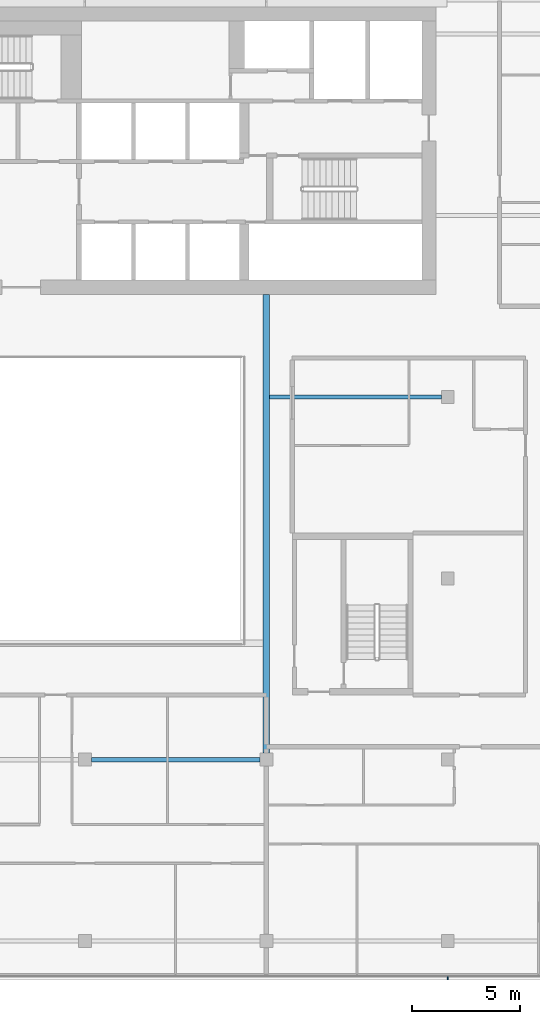
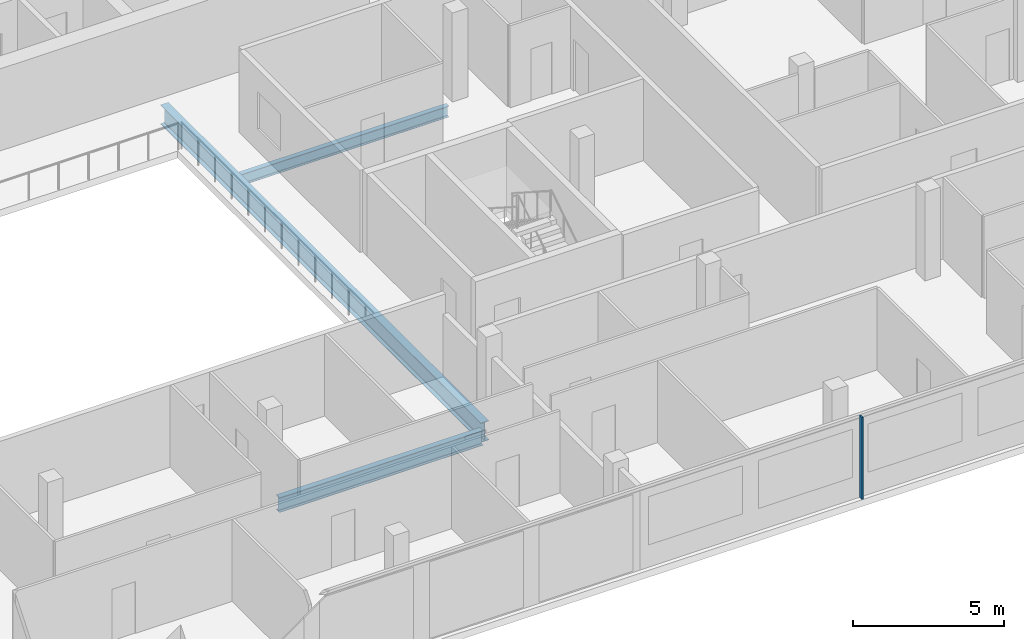
# One storey, part 6 of 30: 3 beams, 1 member, 1 element without a shape of its own.
"""IFC4 building model written with IfcOpenShell, lengths in metres."""

from ifc_helpers import new_model, si_unit, direction, frame, origin, origin_2d, place, context, subcontext, project, spatial, rectangle, i_section, extrude, material, material_profile, profile_set, type_object, element, aggregate, save


model = new_model("IFC4")

# Units and contexts
model_context = context("Model", 3, precision=1e-05, world=origin(), true_north=direction((0.0, 1.0)))
body_context = subcontext(model_context, "Body", "Model", "MODEL_VIEW")
ifc_project = project(units=[si_unit("LENGTHUNIT", "METRE"), si_unit("AREAUNIT", "SQUARE_METRE"), si_unit("VOLUMEUNIT", "CUBIC_METRE"), si_unit("PLANEANGLEUNIT", "RADIAN"), si_unit("MASSUNIT", "GRAM", prefix="KILO")], contexts=[model_context])

# Site, building, storey
site_placement = place(None, origin())
site = spatial("IfcSite", under=ifc_project, at=site_placement, CompositionType="ELEMENT")
building_placement = place(site_placement, origin())
building = spatial("IfcBuilding", under=site, at=building_placement, Name="Saffron Gate Tower", CompositionType="ELEMENT")
storey_placement = place(building_placement, frame((0.0, 0.0, 245.10009765625)))
storey = spatial("IfcBuildingStorey", under=building, at=storey_placement, Name="L60", CompositionType="ELEMENT", Elevation=245.10009765625)

# Beams
ifc_material_1 = material(Name="Structural steel S355", Category="steel")
ifc_material_profile_1 = material_profile(ifc_material_1, i_section(OverallWidth=0.219970703125, OverallDepth=0.60009765625, WebThickness=0.011962890625, FlangeThickness=0.01904296875, FilletRadius=0.02392578125, at=origin_2d()))
ifc_profile_set_1 = profile_set([ifc_material_profile_1], Name="Structural steel S355")
beam_type_1 = type_object("IfcBeamType", Name="B15 IPE 600", PredefinedType="BEAM", material=ifc_profile_set_1)
beam_1_placement = place(storey_placement, frame((92.10009765625, 40.199951171875, -0.580078125), z_axis=(1.0, 0.0, 0.0), x_axis=(0.0, 1.0, 0.0)))
element("IfcBeam", 1, at=beam_1_placement, inside=storey, type_object=beam_type_1, Name="B15 FLOOR GIRDER", PredefinedType="BEAM", context=body_context, shape_type="SweptSolid", body=[
    extrude(i_section(OverallWidth=0.219970703125, OverallDepth=0.60009765625, WebThickness=0.011962890625, FlangeThickness=0.01904296875, FilletRadius=0.02392578125, at=origin_2d()), origin(), (0.0, 0.0, 1.0), 7.7998046875),
])
ifc_material_profile_2 = material_profile(ifc_material_1, i_section(OverallWidth=0.300048828125, OverallDepth=0.7900390625, WebThickness=0.014892578125, FlangeThickness=0.028076171875, FilletRadius=0.030029296875, at=origin_2d()))
ifc_profile_set_2 = profile_set([ifc_material_profile_2], Name="Structural steel S355")
beam_type_2 = type_object("IfcBeamType", Name="B18 HEA 800", PredefinedType="BEAM", material=ifc_profile_set_2)
beam_2_placement = place(storey_placement, frame((100.199951171875, 40.5, -0.675048828125), z_axis=(0.0, 1.0, 0.0), x_axis=(-1.0, 0.0, 0.0)))
element("IfcBeam", 2, at=beam_2_placement, inside=storey, type_object=beam_type_2, Name="B18 ATRIUM GIRDER", PredefinedType="BEAM", context=body_context, shape_type="SweptSolid", body=[
    extrude(i_section(OverallWidth=0.300048828125, OverallDepth=0.7900390625, WebThickness=0.014892578125, FlangeThickness=0.028076171875, FilletRadius=0.030029296875, at=origin_2d()), origin(), (0.0, 0.0, 1.0), 21.25),
])
ifc_material_profile_3 = material_profile(ifc_material_1, i_section(OverallWidth=0.18994140625, OverallDepth=0.449951171875, WebThickness=0.009521484375, FlangeThickness=0.0146484375, FilletRadius=0.02099609375, at=origin_2d()))
ifc_profile_set_3 = profile_set([ifc_material_profile_3], Name="Structural steel S355")
beam_type_3 = type_object("IfcBeamType", Name="B6 IPE 450", PredefinedType="BEAM", material=ifc_profile_set_3)
beam_3_placement = place(storey_placement, frame((108.300048828125, 57.0, -0.505126953125), z_axis=(-1.0, 0.0, 0.0), x_axis=(0.0, -1.0, 0.0)))
element("IfcBeam", 3, at=beam_3_placement, inside=storey, type_object=beam_type_3, Name="B6 CORE TIE BEAM", PredefinedType="BEAM", context=body_context, shape_type="SweptSolid", body=[
    extrude(i_section(OverallWidth=0.18994140625, OverallDepth=0.449951171875, WebThickness=0.009521484375, FlangeThickness=0.0146484375, FilletRadius=0.02099609375, at=origin_2d()), origin(), (0.0, 0.0, 1.0), 7.949951171875),
])

# Curtain wall, member
ifc_material_2 = material(Name="Aluminium, bronze anodised", Category="aluminium")
curtain_wall_type = type_object("IfcCurtainWallType", Name="CWS1 curtain wall front facade", PredefinedType="NOTDEFINED", material=ifc_material_2)
curtain_wall_placement = place(storey_placement, origin())
curtain_wall = element("IfcCurtainWall", 4, at=curtain_wall_placement, inside=storey, type_object=curtain_wall_type, Name="CWS1 run 1", PredefinedType="NOTDEFINED")
ifc_material_profile_4 = material_profile(ifc_material_2, rectangle(XDim=0.159912109375, YDim=0.06005859375, at=origin_2d()))
ifc_profile_set_4 = profile_set([ifc_material_profile_4], Name="Aluminium, bronze anodised")
member_type = type_object("IfcMemberType", Name="CWS1 mullion 60x160", PredefinedType="MULLION", material=ifc_profile_set_4)
member_placement = place(storey_placement, frame((108.60009765625, 30.080078125, 0.0), z_axis=(0.0, 0.0, 1.0), x_axis=(0.0, 1.0, 0.0)))
member = element("IfcMember", 5, at=member_placement, type_object=member_type, Name="CWS1 mullion 8", PredefinedType="MULLION", context=body_context, shape_type="SweptSolid", body=[
    extrude(rectangle(XDim=0.159912109375, YDim=0.06005859375, at=origin_2d()), origin(), (0.0, 0.0, 1.0), 3.31982421875),
])
aggregate(curtain_wall, [member])

save(model, "model.ifc")
